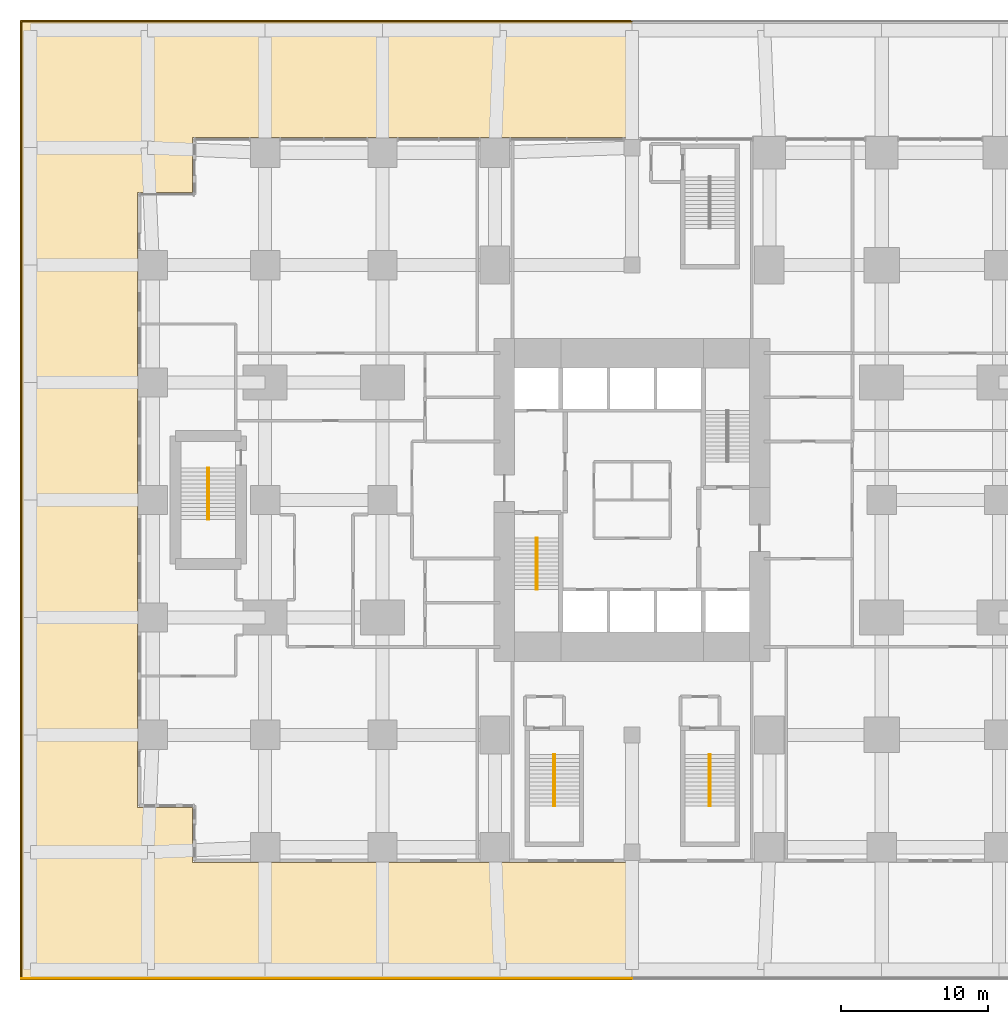
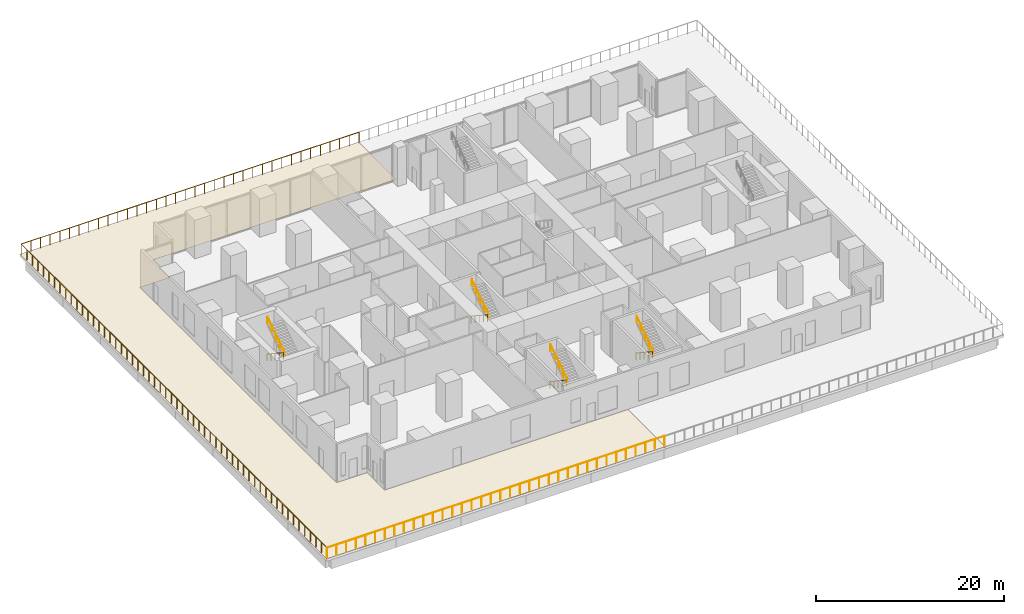
# One storey, part 14 of 16: 10 railings, 1 covering.
"""IFC4 building model written with IfcOpenShell, lengths in metres."""

from ifc_helpers import new_model, si_unit, direction, frame, origin, origin_2d, place, context, subcontext, project, spatial, polyline, circle, outline, extrude, material, layer, layer_set, type_object, element, save


model = new_model("IFC4")

# Units and contexts
model_context = context("Model", 3, precision=1e-05, world=origin(), true_north=direction((0.0, 1.0)))
body_context = subcontext(model_context, "Body", "Model", "MODEL_VIEW")
ifc_project = project(units=[si_unit("LENGTHUNIT", "METRE"), si_unit("AREAUNIT", "SQUARE_METRE"), si_unit("VOLUMEUNIT", "CUBIC_METRE"), si_unit("PLANEANGLEUNIT", "RADIAN"), si_unit("MASSUNIT", "GRAM", prefix="KILO")], contexts=[model_context])

# Site, building, storey
site_placement = place(None, origin())
site = spatial("IfcSite", under=ifc_project, at=site_placement, CompositionType="ELEMENT")
building_placement = place(site_placement, origin())
building = spatial("IfcBuilding", under=site, at=building_placement, Name="Cleftline Residences", CompositionType="ELEMENT")
storey_placement = place(building_placement, frame((0.0, 0.0, 16.0)))
storey = spatial("IfcBuildingStorey", under=building, at=storey_placement, Name="L03", CompositionType="ELEMENT", Elevation=16.0)

# Railings
ifc_material_1 = material(Name="Stainless steel", Category="steel")
railing_type_1 = type_object("IfcRailingType", Name="HANDRAIL 900", PredefinedType="HANDRAIL", material=ifc_material_1)
railing_1_placement = place(storey_placement, frame((26.449951171875, 21.39990234375, 0.1787109375)))
element("IfcRailing", 1, at=railing_1_placement, inside=storey, type_object=railing_type_1, Name="Stair handrail", PredefinedType="HANDRAIL", context=body_context, shape_type="SweptSolid", body=[
    extrude(circle(Radius=0.02392578125, at=origin_2d()), frame((0.0, 0.0, 0.8759765625), z_axis=(0.0, -0.834097473627, 0.551617081397), x_axis=(1.0, 0.0, 0.0)), (0.0, 0.0, 1.0), 4.208251953125),
    extrude(circle(Radius=0.02099609375, at=origin_2d()), origin(), (0.0, 0.0, 1.0), 0.851806640625),
    extrude(circle(Radius=0.02099609375, at=origin_2d()), frame((0.0, -0.87744140625, 0.580322265625)), (0.0, 0.0, 1.0), 0.851806640625),
    extrude(circle(Radius=0.02099609375, at=origin_2d()), frame((0.0, -1.7548828125, 1.16064453125)), (0.0, 0.0, 1.0), 0.851806640625),
    extrude(circle(Radius=0.02099609375, at=origin_2d()), frame((0.0, -2.632568359375, 1.740966796875)), (0.0, 0.0, 1.0), 0.851806640625),
    extrude(circle(Radius=0.02099609375, at=origin_2d()), frame((0.0, -3.510009765625, 2.3212890625)), (0.0, 0.0, 1.0), 0.851806640625),
])
railing_2_placement = place(storey_placement, frame((26.550048828125, 17.889892578125, 2.6787109375)))
element("IfcRailing", 2, at=railing_2_placement, inside=storey, type_object=railing_type_1, Name="Stair handrail", PredefinedType="HANDRAIL", context=body_context, shape_type="SweptSolid", body=[
    extrude(circle(Radius=0.02392578125, at=origin_2d()), frame((0.0, 0.0, 0.8759765625), z_axis=(0.0, 0.834097473627, 0.551617081397), x_axis=(-1.0, 0.0, 0.0)), (0.0, 0.0, 1.0), 4.208251953125),
    extrude(circle(Radius=0.02099609375, at=origin_2d()), origin(), (0.0, 0.0, 1.0), 0.851806640625),
    extrude(circle(Radius=0.02099609375, at=origin_2d()), frame((0.0, 0.87744140625, 0.580322265625)), (0.0, 0.0, 1.0), 0.851806640625),
    extrude(circle(Radius=0.02099609375, at=origin_2d()), frame((0.0, 1.7548828125, 1.16064453125)), (0.0, 0.0, 1.0), 0.851806640625),
    extrude(circle(Radius=0.02099609375, at=origin_2d()), frame((0.0, 2.632568359375, 1.740966796875)), (0.0, 0.0, 1.0), 0.851806640625),
    extrude(circle(Radius=0.02099609375, at=origin_2d()), frame((0.0, 3.510009765625, 2.3212890625)), (0.0, 0.0, 1.0), 0.851806640625),
])
railing_3_placement = place(storey_placement, frame((27.64990234375, 6.669921875, 0.1787109375)))
element("IfcRailing", 3, at=railing_3_placement, inside=storey, type_object=railing_type_1, Name="Stair handrail", PredefinedType="HANDRAIL", context=body_context, shape_type="SweptSolid", body=[
    extrude(circle(Radius=0.02392578125, at=origin_2d()), frame((0.0, 0.0, 0.8759765625), z_axis=(0.0, -0.834097473627, 0.551617081397), x_axis=(1.0, 0.0, 0.0)), (0.0, 0.0, 1.0), 4.208251953125),
    extrude(circle(Radius=0.02099609375, at=origin_2d()), origin(), (0.0, 0.0, 1.0), 0.851806640625),
    extrude(circle(Radius=0.02099609375, at=origin_2d()), frame((0.0, -0.87744140625, 0.580322265625)), (0.0, 0.0, 1.0), 0.851806640625),
    extrude(circle(Radius=0.02099609375, at=origin_2d()), frame((0.0, -1.7548828125, 1.16064453125)), (0.0, 0.0, 1.0), 0.851806640625),
    extrude(circle(Radius=0.02099609375, at=origin_2d()), frame((0.0, -2.632568359375, 1.740966796875)), (0.0, 0.0, 1.0), 0.851806640625),
    extrude(circle(Radius=0.02099609375, at=origin_2d()), frame((0.0, -3.510009765625, 2.3212890625)), (0.0, 0.0, 1.0), 0.851806640625),
])
railing_4_placement = place(storey_placement, frame((27.75, 3.159912109375, 2.6787109375)))
element("IfcRailing", 4, at=railing_4_placement, inside=storey, type_object=railing_type_1, Name="Stair handrail", PredefinedType="HANDRAIL", context=body_context, shape_type="SweptSolid", body=[
    extrude(circle(Radius=0.02392578125, at=origin_2d()), frame((0.0, 0.0, 0.8759765625), z_axis=(0.0, 0.834097473627, 0.551617081397), x_axis=(-1.0, 0.0, 0.0)), (0.0, 0.0, 1.0), 4.208251953125),
    extrude(circle(Radius=0.02099609375, at=origin_2d()), origin(), (0.0, 0.0, 1.0), 0.851806640625),
    extrude(circle(Radius=0.02099609375, at=origin_2d()), frame((0.0, 0.87744140625, 0.580322265625)), (0.0, 0.0, 1.0), 0.851806640625),
    extrude(circle(Radius=0.02099609375, at=origin_2d()), frame((0.0, 1.7548828125, 1.16064453125)), (0.0, 0.0, 1.0), 0.851806640625),
    extrude(circle(Radius=0.02099609375, at=origin_2d()), frame((0.0, 2.632568359375, 1.740966796875)), (0.0, 0.0, 1.0), 0.851806640625),
    extrude(circle(Radius=0.02099609375, at=origin_2d()), frame((0.0, 3.510009765625, 2.3212890625)), (0.0, 0.0, 1.0), 0.851806640625),
])
railing_5_placement = place(storey_placement, frame((38.25, 6.669921875, 0.1787109375)))
element("IfcRailing", 5, at=railing_5_placement, inside=storey, type_object=railing_type_1, Name="Stair handrail", PredefinedType="HANDRAIL", context=body_context, shape_type="SweptSolid", body=[
    extrude(circle(Radius=0.02392578125, at=origin_2d()), frame((0.0, 0.0, 0.8759765625), z_axis=(0.0, -0.834097473627, 0.551617081397), x_axis=(1.0, 0.0, 0.0)), (0.0, 0.0, 1.0), 4.208251953125),
    extrude(circle(Radius=0.02099609375, at=origin_2d()), origin(), (0.0, 0.0, 1.0), 0.851806640625),
    extrude(circle(Radius=0.02099609375, at=origin_2d()), frame((0.0, -0.87744140625, 0.580322265625)), (0.0, 0.0, 1.0), 0.851806640625),
    extrude(circle(Radius=0.02099609375, at=origin_2d()), frame((0.0, -1.7548828125, 1.16064453125)), (0.0, 0.0, 1.0), 0.851806640625),
    extrude(circle(Radius=0.02099609375, at=origin_2d()), frame((0.0, -2.632568359375, 1.740966796875)), (0.0, 0.0, 1.0), 0.851806640625),
    extrude(circle(Radius=0.02099609375, at=origin_2d()), frame((0.0, -3.510009765625, 2.3212890625)), (0.0, 0.0, 1.0), 0.851806640625),
])
railing_6_placement = place(storey_placement, frame((38.35009765625, 3.159912109375, 2.6787109375)))
element("IfcRailing", 6, at=railing_6_placement, inside=storey, type_object=railing_type_1, Name="Stair handrail", PredefinedType="HANDRAIL", context=body_context, shape_type="SweptSolid", body=[
    extrude(circle(Radius=0.02392578125, at=origin_2d()), frame((0.0, 0.0, 0.8759765625), z_axis=(0.0, 0.834097473627, 0.551617081397), x_axis=(-1.0, 0.0, 0.0)), (0.0, 0.0, 1.0), 4.208251953125),
    extrude(circle(Radius=0.02099609375, at=origin_2d()), origin(), (0.0, 0.0, 1.0), 0.851806640625),
    extrude(circle(Radius=0.02099609375, at=origin_2d()), frame((0.0, 0.87744140625, 0.580322265625)), (0.0, 0.0, 1.0), 0.851806640625),
    extrude(circle(Radius=0.02099609375, at=origin_2d()), frame((0.0, 1.7548828125, 1.16064453125)), (0.0, 0.0, 1.0), 0.851806640625),
    extrude(circle(Radius=0.02099609375, at=origin_2d()), frame((0.0, 2.632568359375, 1.740966796875)), (0.0, 0.0, 1.0), 0.851806640625),
    extrude(circle(Radius=0.02099609375, at=origin_2d()), frame((0.0, 3.510009765625, 2.3212890625)), (0.0, 0.0, 1.0), 0.851806640625),
])
railing_7_placement = place(storey_placement, frame((4.074951171875, 26.175048828125, 0.1787109375)))
element("IfcRailing", 7, at=railing_7_placement, inside=storey, type_object=railing_type_1, Name="Stair handrail", PredefinedType="HANDRAIL", context=body_context, shape_type="SweptSolid", body=[
    extrude(circle(Radius=0.02392578125, at=origin_2d()), frame((0.0, 0.0, 0.8759765625), z_axis=(0.0, -0.834097473627, 0.551617081397), x_axis=(1.0, 0.0, 0.0)), (0.0, 0.0, 1.0), 4.208251953125),
    extrude(circle(Radius=0.02099609375, at=origin_2d()), origin(), (0.0, 0.0, 1.0), 0.851806640625),
    extrude(circle(Radius=0.02099609375, at=origin_2d()), frame((0.0, -0.87744140625, 0.580322265625)), (0.0, 0.0, 1.0), 0.851806640625),
    extrude(circle(Radius=0.02099609375, at=origin_2d()), frame((0.0, -1.7548828125, 1.16064453125)), (0.0, 0.0, 1.0), 0.851806640625),
    extrude(circle(Radius=0.02099609375, at=origin_2d()), frame((0.0, -2.632568359375, 1.740966796875)), (0.0, 0.0, 1.0), 0.851806640625),
    extrude(circle(Radius=0.02099609375, at=origin_2d()), frame((0.0, -3.510009765625, 2.3212890625)), (0.0, 0.0, 1.0), 0.851806640625),
])
railing_8_placement = place(storey_placement, frame((4.175048828125, 22.6650390625, 2.6787109375)))
element("IfcRailing", 8, at=railing_8_placement, inside=storey, type_object=railing_type_1, Name="Stair handrail", PredefinedType="HANDRAIL", context=body_context, shape_type="SweptSolid", body=[
    extrude(circle(Radius=0.02392578125, at=origin_2d()), frame((0.0, 0.0, 0.8759765625), z_axis=(0.0, 0.834097473627, 0.551617081397), x_axis=(-1.0, 0.0, 0.0)), (0.0, 0.0, 1.0), 4.208251953125),
    extrude(circle(Radius=0.02099609375, at=origin_2d()), origin(), (0.0, 0.0, 1.0), 0.851806640625),
    extrude(circle(Radius=0.02099609375, at=origin_2d()), frame((0.0, 0.87744140625, 0.580322265625)), (0.0, 0.0, 1.0), 0.851806640625),
    extrude(circle(Radius=0.02099609375, at=origin_2d()), frame((0.0, 1.7548828125, 1.16064453125)), (0.0, 0.0, 1.0), 0.851806640625),
    extrude(circle(Radius=0.02099609375, at=origin_2d()), frame((0.0, 2.632568359375, 1.740966796875)), (0.0, 0.0, 1.0), 0.851806640625),
    extrude(circle(Radius=0.02099609375, at=origin_2d()), frame((0.0, 3.510009765625, 2.3212890625)), (0.0, 0.0, 1.0), 0.851806640625),
])
ifc_material_2 = material(Name="Stainless steel and laminated glass", Category="steel")
railing_type_2 = type_object("IfcRailingType", Name="TERRACE GUARD 1400", PredefinedType="GUARDRAIL", material=ifc_material_2)
railing_9_placement = place(storey_placement, frame((-8.60009765625, -8.60009765625, 0.0)))
element("IfcRailing", 9, at=railing_9_placement, inside=storey, type_object=railing_type_2, Name="Terrace guard", PredefinedType="GUARDRAIL", context=body_context, shape_type="SweptSolid", body=[
    extrude(circle(Radius=0.02392578125, at=origin_2d()), frame((0.0, 0.0, 1.3759765625), z_axis=(0.0, 1.0, 0.0), x_axis=(-1.0, 0.0, 0.0)), (0.0, 0.0, 1.0), 65.2001953125),
    extrude(circle(Radius=0.02392578125, at=origin_2d()), frame((0.0, 65.2001953125, 1.3759765625), z_axis=(1.0, 0.0, 0.0), x_axis=(0.0, 1.0, 0.0)), (0.0, 0.0, 1.0), 41.5751953125),
    extrude(circle(Radius=0.02099609375, at=origin_2d()), origin(), (0.0, 0.0, 1.0), 1.351806640625),
    extrude(circle(Radius=0.02099609375, at=origin_2d()), frame((0.0, 1.185546875, 0.0)), (0.0, 0.0, 1.0), 1.351806640625),
    extrude(circle(Radius=0.02099609375, at=origin_2d()), frame((0.0, 2.370849609375, 0.0)), (0.0, 0.0, 1.0), 1.351806640625),
    extrude(circle(Radius=0.02099609375, at=origin_2d()), frame((0.0, 3.556396484375, 0.0)), (0.0, 0.0, 1.0), 1.351806640625),
    extrude(circle(Radius=0.02099609375, at=origin_2d()), frame((0.0, 4.741943359375, 0.0)), (0.0, 0.0, 1.0), 1.351806640625),
    extrude(circle(Radius=0.02099609375, at=origin_2d()), frame((0.0, 5.92724609375, 0.0)), (0.0, 0.0, 1.0), 1.351806640625),
    extrude(circle(Radius=0.02099609375, at=origin_2d()), frame((0.0, 7.11279296875, 0.0)), (0.0, 0.0, 1.0), 1.351806640625),
    extrude(circle(Radius=0.02099609375, at=origin_2d()), frame((0.0, 8.298095703125, 0.0)), (0.0, 0.0, 1.0), 1.351806640625),
    extrude(circle(Radius=0.02099609375, at=origin_2d()), frame((0.0, 9.483642578125, 0.0)), (0.0, 0.0, 1.0), 1.351806640625),
    extrude(circle(Radius=0.02099609375, at=origin_2d()), frame((0.0, 10.669189453125, 0.0)), (0.0, 0.0, 1.0), 1.351806640625),
    extrude(circle(Radius=0.02099609375, at=origin_2d()), frame((0.0, 11.8544921875, 0.0)), (0.0, 0.0, 1.0), 1.351806640625),
    extrude(circle(Radius=0.02099609375, at=origin_2d()), frame((0.0, 13.0400390625, 0.0)), (0.0, 0.0, 1.0), 1.351806640625),
    extrude(circle(Radius=0.02099609375, at=origin_2d()), frame((0.0, 14.2255859375, 0.0)), (0.0, 0.0, 1.0), 1.351806640625),
    extrude(circle(Radius=0.02099609375, at=origin_2d()), frame((0.0, 15.410888671875, 0.0)), (0.0, 0.0, 1.0), 1.351806640625),
    extrude(circle(Radius=0.02099609375, at=origin_2d()), frame((0.0, 16.596435546875, 0.0)), (0.0, 0.0, 1.0), 1.351806640625),
    extrude(circle(Radius=0.02099609375, at=origin_2d()), frame((0.0, 17.781982421875, 0.0)), (0.0, 0.0, 1.0), 1.351806640625),
    extrude(circle(Radius=0.02099609375, at=origin_2d()), frame((0.0, 18.96728515625, 0.0)), (0.0, 0.0, 1.0), 1.351806640625),
    extrude(circle(Radius=0.02099609375, at=origin_2d()), frame((0.0, 20.15283203125, 0.0)), (0.0, 0.0, 1.0), 1.351806640625),
    extrude(circle(Radius=0.02099609375, at=origin_2d()), frame((0.0, 21.338134765625, 0.0)), (0.0, 0.0, 1.0), 1.351806640625),
    extrude(circle(Radius=0.02099609375, at=origin_2d()), frame((0.0, 22.523681640625, 0.0)), (0.0, 0.0, 1.0), 1.351806640625),
    extrude(circle(Radius=0.02099609375, at=origin_2d()), frame((0.0, 23.709228515625, 0.0)), (0.0, 0.0, 1.0), 1.351806640625),
    extrude(circle(Radius=0.02099609375, at=origin_2d()), frame((0.0, 24.89453125, 0.0)), (0.0, 0.0, 1.0), 1.351806640625),
    extrude(circle(Radius=0.02099609375, at=origin_2d()), frame((0.0, 26.080078125, 0.0)), (0.0, 0.0, 1.0), 1.351806640625),
    extrude(circle(Radius=0.02099609375, at=origin_2d()), frame((0.0, 27.265625, 0.0)), (0.0, 0.0, 1.0), 1.351806640625),
    extrude(circle(Radius=0.02099609375, at=origin_2d()), frame((0.0, 28.450927734375, 0.0)), (0.0, 0.0, 1.0), 1.351806640625),
    extrude(circle(Radius=0.02099609375, at=origin_2d()), frame((0.0, 29.636474609375, 0.0)), (0.0, 0.0, 1.0), 1.351806640625),
    extrude(circle(Radius=0.02099609375, at=origin_2d()), frame((0.0, 30.822021484375, 0.0)), (0.0, 0.0, 1.0), 1.351806640625),
    extrude(circle(Radius=0.02099609375, at=origin_2d()), frame((0.0, 32.00732421875, 0.0)), (0.0, 0.0, 1.0), 1.351806640625),
    extrude(circle(Radius=0.02099609375, at=origin_2d()), frame((0.0, 33.19287109375, 0.0)), (0.0, 0.0, 1.0), 1.351806640625),
    extrude(circle(Radius=0.02099609375, at=origin_2d()), frame((0.0, 34.378173828125, 0.0)), (0.0, 0.0, 1.0), 1.351806640625),
    extrude(circle(Radius=0.02099609375, at=origin_2d()), frame((0.0, 35.563720703125, 0.0)), (0.0, 0.0, 1.0), 1.351806640625),
    extrude(circle(Radius=0.02099609375, at=origin_2d()), frame((0.0, 36.749267578125, 0.0)), (0.0, 0.0, 1.0), 1.351806640625),
    extrude(circle(Radius=0.02099609375, at=origin_2d()), frame((0.0, 37.9345703125, 0.0)), (0.0, 0.0, 1.0), 1.351806640625),
    extrude(circle(Radius=0.02099609375, at=origin_2d()), frame((0.0, 39.1201171875, 0.0)), (0.0, 0.0, 1.0), 1.351806640625),
    extrude(circle(Radius=0.02099609375, at=origin_2d()), frame((0.0, 40.3056640625, 0.0)), (0.0, 0.0, 1.0), 1.351806640625),
    extrude(circle(Radius=0.02099609375, at=origin_2d()), frame((0.0, 41.490966796875, 0.0)), (0.0, 0.0, 1.0), 1.351806640625),
    extrude(circle(Radius=0.02099609375, at=origin_2d()), frame((0.0, 42.676513671875, 0.0)), (0.0, 0.0, 1.0), 1.351806640625),
    extrude(circle(Radius=0.02099609375, at=origin_2d()), frame((0.0, 43.862060546875, 0.0)), (0.0, 0.0, 1.0), 1.351806640625),
    extrude(circle(Radius=0.02099609375, at=origin_2d()), frame((0.0, 45.04736328125, 0.0)), (0.0, 0.0, 1.0), 1.351806640625),
    extrude(circle(Radius=0.02099609375, at=origin_2d()), frame((0.0, 46.23291015625, 0.0)), (0.0, 0.0, 1.0), 1.351806640625),
    extrude(circle(Radius=0.02099609375, at=origin_2d()), frame((0.0, 47.418212890625, 0.0)), (0.0, 0.0, 1.0), 1.351806640625),
    extrude(circle(Radius=0.02099609375, at=origin_2d()), frame((0.0, 48.603759765625, 0.0)), (0.0, 0.0, 1.0), 1.351806640625),
    extrude(circle(Radius=0.02099609375, at=origin_2d()), frame((0.0, 49.789306640625, 0.0)), (0.0, 0.0, 1.0), 1.351806640625),
    extrude(circle(Radius=0.02099609375, at=origin_2d()), frame((0.0, 50.974609375, 0.0)), (0.0, 0.0, 1.0), 1.351806640625),
    extrude(circle(Radius=0.02099609375, at=origin_2d()), frame((0.0, 52.16015625, 0.0)), (0.0, 0.0, 1.0), 1.351806640625),
    extrude(circle(Radius=0.02099609375, at=origin_2d()), frame((0.0, 53.345703125, 0.0)), (0.0, 0.0, 1.0), 1.351806640625),
    extrude(circle(Radius=0.02099609375, at=origin_2d()), frame((0.0, 54.531005859375, 0.0)), (0.0, 0.0, 1.0), 1.351806640625),
    extrude(circle(Radius=0.02099609375, at=origin_2d()), frame((0.0, 55.716552734375, 0.0)), (0.0, 0.0, 1.0), 1.351806640625),
    extrude(circle(Radius=0.02099609375, at=origin_2d()), frame((0.0, 56.902099609375, 0.0)), (0.0, 0.0, 1.0), 1.351806640625),
    extrude(circle(Radius=0.02099609375, at=origin_2d()), frame((0.0, 58.08740234375, 0.0)), (0.0, 0.0, 1.0), 1.351806640625),
    extrude(circle(Radius=0.02099609375, at=origin_2d()), frame((0.0, 59.27294921875, 0.0)), (0.0, 0.0, 1.0), 1.351806640625),
    extrude(circle(Radius=0.02099609375, at=origin_2d()), frame((0.0, 60.458251953125, 0.0)), (0.0, 0.0, 1.0), 1.351806640625),
    extrude(circle(Radius=0.02099609375, at=origin_2d()), frame((0.0, 61.643798828125, 0.0)), (0.0, 0.0, 1.0), 1.351806640625),
    extrude(circle(Radius=0.02099609375, at=origin_2d()), frame((0.0, 62.829345703125, 0.0)), (0.0, 0.0, 1.0), 1.351806640625),
    extrude(circle(Radius=0.02099609375, at=origin_2d()), frame((0.0, 64.0146484375, 0.0)), (0.0, 0.0, 1.0), 1.351806640625),
    extrude(circle(Radius=0.02099609375, at=origin_2d()), frame((0.0, 65.2001953125, 0.0)), (0.0, 0.0, 1.0), 1.351806640625),
    extrude(circle(Radius=0.02099609375, at=origin_2d()), frame((1.187744140625, 65.2001953125, 0.0)), (0.0, 0.0, 1.0), 1.351806640625),
    extrude(circle(Radius=0.02099609375, at=origin_2d()), frame((2.375732421875, 65.2001953125, 0.0)), (0.0, 0.0, 1.0), 1.351806640625),
    extrude(circle(Radius=0.02099609375, at=origin_2d()), frame((3.5634765625, 65.2001953125, 0.0)), (0.0, 0.0, 1.0), 1.351806640625),
    extrude(circle(Radius=0.02099609375, at=origin_2d()), frame((4.75146484375, 65.2001953125, 0.0)), (0.0, 0.0, 1.0), 1.351806640625),
    extrude(circle(Radius=0.02099609375, at=origin_2d()), frame((5.939208984375, 65.2001953125, 0.0)), (0.0, 0.0, 1.0), 1.351806640625),
    extrude(circle(Radius=0.02099609375, at=origin_2d()), frame((7.127197265625, 65.2001953125, 0.0)), (0.0, 0.0, 1.0), 1.351806640625),
    extrude(circle(Radius=0.02099609375, at=origin_2d()), frame((8.31494140625, 65.2001953125, 0.0)), (0.0, 0.0, 1.0), 1.351806640625),
    extrude(circle(Radius=0.02099609375, at=origin_2d()), frame((9.5029296875, 65.2001953125, 0.0)), (0.0, 0.0, 1.0), 1.351806640625),
    extrude(circle(Radius=0.02099609375, at=origin_2d()), frame((10.690673828125, 65.2001953125, 0.0)), (0.0, 0.0, 1.0), 1.351806640625),
    extrude(circle(Radius=0.02099609375, at=origin_2d()), frame((11.878662109375, 65.2001953125, 0.0)), (0.0, 0.0, 1.0), 1.351806640625),
    extrude(circle(Radius=0.02099609375, at=origin_2d()), frame((13.06640625, 65.2001953125, 0.0)), (0.0, 0.0, 1.0), 1.351806640625),
    extrude(circle(Radius=0.02099609375, at=origin_2d()), frame((14.25439453125, 65.2001953125, 0.0)), (0.0, 0.0, 1.0), 1.351806640625),
    extrude(circle(Radius=0.02099609375, at=origin_2d()), frame((15.442138671875, 65.2001953125, 0.0)), (0.0, 0.0, 1.0), 1.351806640625),
    extrude(circle(Radius=0.02099609375, at=origin_2d()), frame((16.630126953125, 65.2001953125, 0.0)), (0.0, 0.0, 1.0), 1.351806640625),
    extrude(circle(Radius=0.02099609375, at=origin_2d()), frame((17.81787109375, 65.2001953125, 0.0)), (0.0, 0.0, 1.0), 1.351806640625),
    extrude(circle(Radius=0.02099609375, at=origin_2d()), frame((19.005859375, 65.2001953125, 0.0)), (0.0, 0.0, 1.0), 1.351806640625),
    extrude(circle(Radius=0.02099609375, at=origin_2d()), frame((20.193603515625, 65.2001953125, 0.0)), (0.0, 0.0, 1.0), 1.351806640625),
    extrude(circle(Radius=0.02099609375, at=origin_2d()), frame((21.381591796875, 65.2001953125, 0.0)), (0.0, 0.0, 1.0), 1.351806640625),
    extrude(circle(Radius=0.02099609375, at=origin_2d()), frame((22.5693359375, 65.2001953125, 0.0)), (0.0, 0.0, 1.0), 1.351806640625),
    extrude(circle(Radius=0.02099609375, at=origin_2d()), frame((23.75732421875, 65.2001953125, 0.0)), (0.0, 0.0, 1.0), 1.351806640625),
    extrude(circle(Radius=0.02099609375, at=origin_2d()), frame((24.945068359375, 65.2001953125, 0.0)), (0.0, 0.0, 1.0), 1.351806640625),
    extrude(circle(Radius=0.02099609375, at=origin_2d()), frame((26.133056640625, 65.2001953125, 0.0)), (0.0, 0.0, 1.0), 1.351806640625),
    extrude(circle(Radius=0.02099609375, at=origin_2d()), frame((27.32080078125, 65.2001953125, 0.0)), (0.0, 0.0, 1.0), 1.351806640625),
    extrude(circle(Radius=0.02099609375, at=origin_2d()), frame((28.5087890625, 65.2001953125, 0.0)), (0.0, 0.0, 1.0), 1.351806640625),
    extrude(circle(Radius=0.02099609375, at=origin_2d()), frame((29.696533203125, 65.2001953125, 0.0)), (0.0, 0.0, 1.0), 1.351806640625),
    extrude(circle(Radius=0.02099609375, at=origin_2d()), frame((30.884521484375, 65.2001953125, 0.0)), (0.0, 0.0, 1.0), 1.351806640625),
    extrude(circle(Radius=0.02099609375, at=origin_2d()), frame((32.072265625, 65.2001953125, 0.0)), (0.0, 0.0, 1.0), 1.351806640625),
    extrude(circle(Radius=0.02099609375, at=origin_2d()), frame((33.26025390625, 65.2001953125, 0.0)), (0.0, 0.0, 1.0), 1.351806640625),
    extrude(circle(Radius=0.02099609375, at=origin_2d()), frame((34.447998046875, 65.2001953125, 0.0)), (0.0, 0.0, 1.0), 1.351806640625),
    extrude(circle(Radius=0.02099609375, at=origin_2d()), frame((35.635986328125, 65.2001953125, 0.0)), (0.0, 0.0, 1.0), 1.351806640625),
    extrude(circle(Radius=0.02099609375, at=origin_2d()), frame((36.82373046875, 65.2001953125, 0.0)), (0.0, 0.0, 1.0), 1.351806640625),
    extrude(circle(Radius=0.02099609375, at=origin_2d()), frame((38.01171875, 65.2001953125, 0.0)), (0.0, 0.0, 1.0), 1.351806640625),
    extrude(circle(Radius=0.02099609375, at=origin_2d()), frame((39.199462890625, 65.2001953125, 0.0)), (0.0, 0.0, 1.0), 1.351806640625),
    extrude(circle(Radius=0.02099609375, at=origin_2d()), frame((40.387451171875, 65.2001953125, 0.0)), (0.0, 0.0, 1.0), 1.351806640625),
    extrude(circle(Radius=0.02099609375, at=origin_2d()), frame((41.5751953125, 65.2001953125, 0.0)), (0.0, 0.0, 1.0), 1.351806640625),
])
railing_10_placement = place(storey_placement, frame((32.97509765625, -8.60009765625, 0.0)))
element("IfcRailing", 10, at=railing_10_placement, inside=storey, type_object=railing_type_2, Name="Terrace guard", PredefinedType="GUARDRAIL", context=body_context, shape_type="SweptSolid", body=[
    extrude(circle(Radius=0.02392578125, at=origin_2d()), frame((0.0, 0.0, 1.3759765625), z_axis=(-1.0, 0.0, 0.0), x_axis=(0.0, -1.0, 0.0)), (0.0, 0.0, 1.0), 41.5751953125),
    extrude(circle(Radius=0.02099609375, at=origin_2d()), origin(), (0.0, 0.0, 1.0), 1.351806640625),
    extrude(circle(Radius=0.02099609375, at=origin_2d()), frame((-1.187744140625, 0.0, 0.0)), (0.0, 0.0, 1.0), 1.351806640625),
    extrude(circle(Radius=0.02099609375, at=origin_2d()), frame((-2.375732421875, 0.0, 0.0)), (0.0, 0.0, 1.0), 1.351806640625),
    extrude(circle(Radius=0.02099609375, at=origin_2d()), frame((-3.5634765625, 0.0, 0.0)), (0.0, 0.0, 1.0), 1.351806640625),
    extrude(circle(Radius=0.02099609375, at=origin_2d()), frame((-4.75146484375, 0.0, 0.0)), (0.0, 0.0, 1.0), 1.351806640625),
    extrude(circle(Radius=0.02099609375, at=origin_2d()), frame((-5.939208984375, 0.0, 0.0)), (0.0, 0.0, 1.0), 1.351806640625),
    extrude(circle(Radius=0.02099609375, at=origin_2d()), frame((-7.127197265625, 0.0, 0.0)), (0.0, 0.0, 1.0), 1.351806640625),
    extrude(circle(Radius=0.02099609375, at=origin_2d()), frame((-8.31494140625, 0.0, 0.0)), (0.0, 0.0, 1.0), 1.351806640625),
    extrude(circle(Radius=0.02099609375, at=origin_2d()), frame((-9.5029296875, 0.0, 0.0)), (0.0, 0.0, 1.0), 1.351806640625),
    extrude(circle(Radius=0.02099609375, at=origin_2d()), frame((-10.690673828125, 0.0, 0.0)), (0.0, 0.0, 1.0), 1.351806640625),
    extrude(circle(Radius=0.02099609375, at=origin_2d()), frame((-11.878662109375, 0.0, 0.0)), (0.0, 0.0, 1.0), 1.351806640625),
    extrude(circle(Radius=0.02099609375, at=origin_2d()), frame((-13.06640625, 0.0, 0.0)), (0.0, 0.0, 1.0), 1.351806640625),
    extrude(circle(Radius=0.02099609375, at=origin_2d()), frame((-14.25439453125, 0.0, 0.0)), (0.0, 0.0, 1.0), 1.351806640625),
    extrude(circle(Radius=0.02099609375, at=origin_2d()), frame((-15.442138671875, 0.0, 0.0)), (0.0, 0.0, 1.0), 1.351806640625),
    extrude(circle(Radius=0.02099609375, at=origin_2d()), frame((-16.630126953125, 0.0, 0.0)), (0.0, 0.0, 1.0), 1.351806640625),
    extrude(circle(Radius=0.02099609375, at=origin_2d()), frame((-17.81787109375, 0.0, 0.0)), (0.0, 0.0, 1.0), 1.351806640625),
    extrude(circle(Radius=0.02099609375, at=origin_2d()), frame((-19.005859375, 0.0, 0.0)), (0.0, 0.0, 1.0), 1.351806640625),
    extrude(circle(Radius=0.02099609375, at=origin_2d()), frame((-20.193603515625, 0.0, 0.0)), (0.0, 0.0, 1.0), 1.351806640625),
    extrude(circle(Radius=0.02099609375, at=origin_2d()), frame((-21.381591796875, 0.0, 0.0)), (0.0, 0.0, 1.0), 1.351806640625),
    extrude(circle(Radius=0.02099609375, at=origin_2d()), frame((-22.5693359375, 0.0, 0.0)), (0.0, 0.0, 1.0), 1.351806640625),
    extrude(circle(Radius=0.02099609375, at=origin_2d()), frame((-23.75732421875, 0.0, 0.0)), (0.0, 0.0, 1.0), 1.351806640625),
    extrude(circle(Radius=0.02099609375, at=origin_2d()), frame((-24.945068359375, 0.0, 0.0)), (0.0, 0.0, 1.0), 1.351806640625),
    extrude(circle(Radius=0.02099609375, at=origin_2d()), frame((-26.133056640625, 0.0, 0.0)), (0.0, 0.0, 1.0), 1.351806640625),
    extrude(circle(Radius=0.02099609375, at=origin_2d()), frame((-27.32080078125, 0.0, 0.0)), (0.0, 0.0, 1.0), 1.351806640625),
    extrude(circle(Radius=0.02099609375, at=origin_2d()), frame((-28.5087890625, 0.0, 0.0)), (0.0, 0.0, 1.0), 1.351806640625),
    extrude(circle(Radius=0.02099609375, at=origin_2d()), frame((-29.696533203125, 0.0, 0.0)), (0.0, 0.0, 1.0), 1.351806640625),
    extrude(circle(Radius=0.02099609375, at=origin_2d()), frame((-30.884521484375, 0.0, 0.0)), (0.0, 0.0, 1.0), 1.351806640625),
    extrude(circle(Radius=0.02099609375, at=origin_2d()), frame((-32.072265625, 0.0, 0.0)), (0.0, 0.0, 1.0), 1.351806640625),
    extrude(circle(Radius=0.02099609375, at=origin_2d()), frame((-33.26025390625, 0.0, 0.0)), (0.0, 0.0, 1.0), 1.351806640625),
    extrude(circle(Radius=0.02099609375, at=origin_2d()), frame((-34.447998046875, 0.0, 0.0)), (0.0, 0.0, 1.0), 1.351806640625),
    extrude(circle(Radius=0.02099609375, at=origin_2d()), frame((-35.635986328125, 0.0, 0.0)), (0.0, 0.0, 1.0), 1.351806640625),
    extrude(circle(Radius=0.02099609375, at=origin_2d()), frame((-36.82373046875, 0.0, 0.0)), (0.0, 0.0, 1.0), 1.351806640625),
    extrude(circle(Radius=0.02099609375, at=origin_2d()), frame((-38.01171875, 0.0, 0.0)), (0.0, 0.0, 1.0), 1.351806640625),
    extrude(circle(Radius=0.02099609375, at=origin_2d()), frame((-39.199462890625, 0.0, 0.0)), (0.0, 0.0, 1.0), 1.351806640625),
    extrude(circle(Radius=0.02099609375, at=origin_2d()), frame((-40.387451171875, 0.0, 0.0)), (0.0, 0.0, 1.0), 1.351806640625),
    extrude(circle(Radius=0.02099609375, at=origin_2d()), frame((-41.5751953125, 0.0, 0.0)), (0.0, 0.0, 1.0), 1.351806640625),
])

# Covering
ifc_material_3 = material(Name="Liquid-applied polyurethane waterproofing")
ifc_layer = layer(ifc_material_3, 0.0048828125)
ifc_layer_set = layer_set([ifc_layer], Name="TERRACE WATERPROOFING 5")
covering_type = type_object("IfcCoveringType", Name="TERRACE WATERPROOFING 5", PredefinedType="ROOFING", material=ifc_layer_set)
covering_placement = place(storey_placement, origin())
element("IfcCovering", 11, at=covering_placement, inside=storey, type_object=covering_type, Name="Terrace waterproofing L03 1", PredefinedType="ROOFING", context=body_context, shape_type="SweptSolid", body=[
    extrude(outline(polyline([(-8.68994140625, -8.699951171875), (33.0, -8.699951171875), (33.0, -0.705078125), (3.169921875, -0.705078125), (3.169921875, -0.699951171875), (3.05029296875, -0.699951171875), (3.050048828125, -0.699951171875), (3.050048828125, -0.69970703125), (3.050048828125, -0.580078125), (3.044921875, -0.580078125), (3.044921875, 3.044921875), (-0.580078125, 3.044921875), (-0.580078125, 3.050048828125), (-0.69970703125, 3.050048828125), (-0.699951171875, 3.050048828125), (-0.699951171875, 3.05029296875), (-0.699951171875, 3.169921875), (-0.705078125, 3.169921875), (-0.705078125, 44.830078125), (-0.699951171875, 44.830078125), (-0.699951171875, 44.94970703125), (-0.699951171875, 44.949951171875), (-0.69970703125, 44.949951171875), (3.0400390625, 44.949951171875), (3.041015625, 44.949951171875), (3.0419921875, 44.9501953125), (3.04296875, 44.950439453125), (3.043701171875, 44.95068359375), (3.044677734375, 44.951171875), (3.044921875, 44.951416015625), (3.044921875, 48.580078125), (3.050048828125, 48.580078125), (3.050048828125, 48.69970703125), (3.050048828125, 48.699951171875), (3.05029296875, 48.699951171875), (33.0, 48.699951171875), (33.0, 56.699951171875), (-8.68994140625, 56.699951171875), (-8.69091796875, 56.699951171875), (-8.69189453125, 56.69970703125), (-8.69287109375, 56.69970703125), (-8.69384765625, 56.69921875), (-8.694580078125, 56.69873046875), (-8.695556640625, 56.6982421875), (-8.6962890625, 56.69775390625), (-8.697021484375, 56.697021484375), (-8.69775390625, 56.6962890625), (-8.6982421875, 56.695556640625), (-8.69873046875, 56.694580078125), (-8.69921875, 56.69384765625), (-8.69970703125, 56.69287109375), (-8.69970703125, 56.69189453125), (-8.699951171875, 56.69091796875), (-8.699951171875, 56.68994140625), (-8.699951171875, -8.68994140625), (-8.699951171875, -8.69091796875), (-8.69970703125, -8.69189453125), (-8.69970703125, -8.69287109375), (-8.69921875, -8.69384765625), (-8.69873046875, -8.694580078125), (-8.6982421875, -8.695556640625), (-8.69775390625, -8.6962890625), (-8.697021484375, -8.697021484375), (-8.6962890625, -8.69775390625), (-8.695556640625, -8.6982421875), (-8.694580078125, -8.69873046875), (-8.69384765625, -8.69921875), (-8.69287109375, -8.69970703125), (-8.69189453125, -8.69970703125), (-8.69091796875, -8.699951171875), (-8.68994140625, -8.699951171875)])), origin(), (0.0, 0.0, 1.0), 0.0048828125),
])

save(model, "model.ifc")
